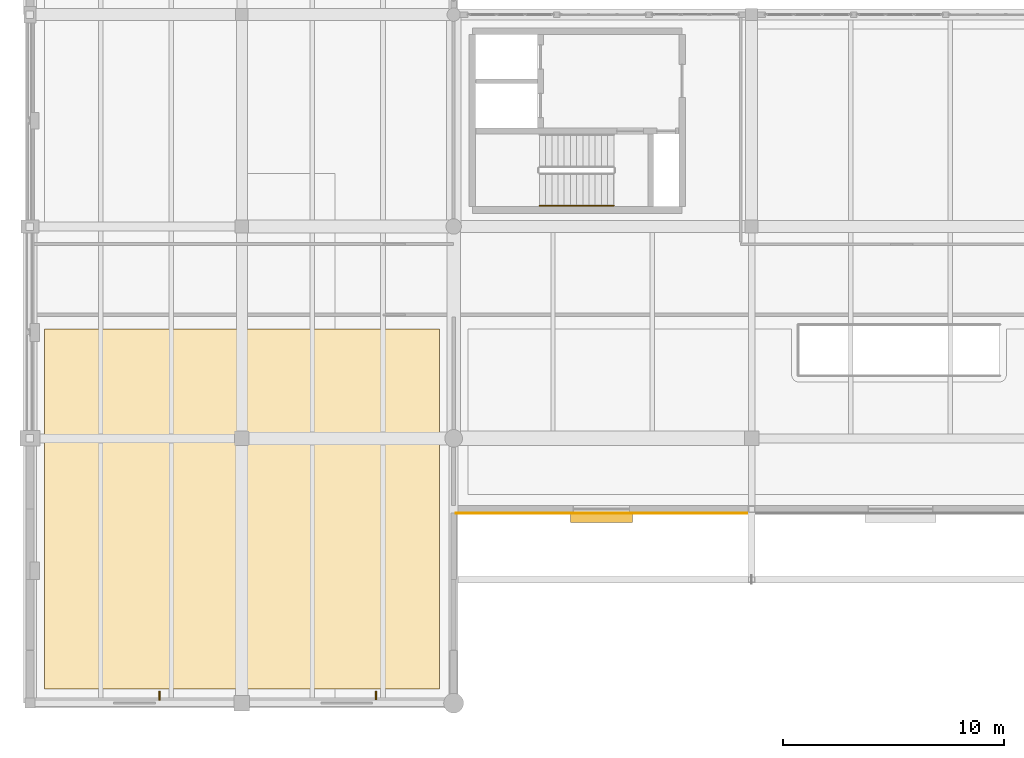
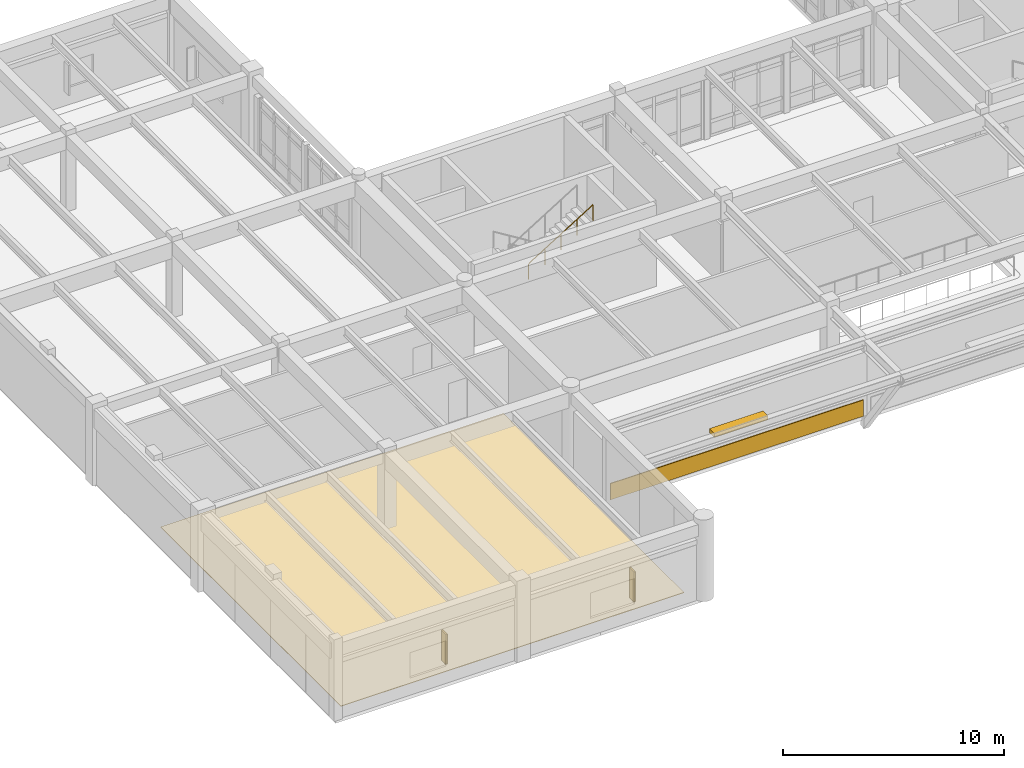
# One storey, part 98 of 109: 3 shading devices, 2 coverings, 1 railing.
"""IFC4 building model written with IfcOpenShell, lengths in metres."""

from ifc_helpers import new_model, si_unit, direction, frame, origin, origin_2d, place, context, subcontext, project, spatial, polyline, rectangle, circle, outline, extrude, material, layer, layer_set, type_object, element, save


model = new_model("IFC4")

# Units and contexts
model_context = context("Model", 3, precision=1e-05, world=origin(), true_north=direction((0.0, 1.0)))
body_context = subcontext(model_context, "Body", "Model", "MODEL_VIEW")
ifc_project = project(units=[si_unit("LENGTHUNIT", "METRE"), si_unit("AREAUNIT", "SQUARE_METRE"), si_unit("VOLUMEUNIT", "CUBIC_METRE"), si_unit("PLANEANGLEUNIT", "RADIAN"), si_unit("MASSUNIT", "GRAM", prefix="KILO")], contexts=[model_context])

# Site, building, storey
site_placement = place(None, origin())
site = spatial("IfcSite", under=ifc_project, at=site_placement, CompositionType="ELEMENT")
building_placement = place(site_placement, origin())
building = spatial("IfcBuilding", under=site, at=building_placement, Name="Fikremerkos Civic Library", CompositionType="ELEMENT")
storey_placement = place(building_placement, frame((0.0, 0.0, 5.39990234375)))
storey = spatial("IfcBuildingStorey", under=building, at=storey_placement, Name="L01", CompositionType="ELEMENT", Elevation=5.39990234375)

# Shading devices
ifc_material_1 = material(Name="Bronze anodized aluminium", Category="aluminium")
shading_device_type_1 = type_object("IfcShadingDeviceType", Name="Horizontal sun-control louvre bank SHD-01", PredefinedType="JALOUSIE", material=ifc_material_1)
shading_device_placement = place(storey_placement, frame((25.89404296875, 8.419921875, 1.919921875), z_axis=(0.0, 0.0, 1.0), x_axis=(1.0, 0.0, 0.0)))
element("IfcShadingDevice", 1, at=shading_device_placement, inside=storey, type_object=shading_device_type_1, Name="Sun-control louvre hood SHD-01 L01 #29", PredefinedType="JALOUSIE", context=body_context, shape_type="SweptSolid", body=[
    extrude(rectangle(XDim=2.800048828125, YDim=0.449951171875, at=origin_2d()), origin(), (0.0, 0.0, 1.0), 0.219970703125),
])
shading_device_type_2 = type_object("IfcShadingDeviceType", Name="Perforated bronze vertical solar fin SHD-02", PredefinedType="USERDEFINED", material=ifc_material_1)
for number, where, z_axis, x_axis, name in (
    (2, (15.679931640625, 0.35009765625, 0.8251953125), (0.0, 0.0, 1.0), (1.0, 0.0, 0.0), "Vertical bronze solar fin SHD-02 L01 #13"),
    (3, (5.867431640625, 0.340087890625, 0.8251953125), (0.0, 0.0, 1.0), (1.0, 0.0, 0.0), "Vertical bronze solar fin SHD-02 L01 #14"),
):
    element("IfcShadingDevice", number, at=place(storey_placement, frame(where, z_axis=z_axis, x_axis=x_axis)), inside=storey, type_object=shading_device_type_2, Name=name, ObjectType="SOLAR FIN", PredefinedType="USERDEFINED", context=body_context, shape_type="SweptSolid", body=[
        extrude(rectangle(XDim=0.080078125, YDim=0.39990234375, at=origin_2d()), origin(), (0.0, 0.0, 1.0), 1.64990234375),
    ])

# Coverings
ifc_material_2 = material(Name="Polished basalt terrazzo", Category="masonry")
ifc_layer_1 = layer(ifc_material_2, 0.030029296875, Name="Polished basalt terrazzo")
ifc_layer_set_1 = layer_set([ifc_layer_1], Name="Polished basalt terrazzo")
covering_type_1 = type_object("IfcCoveringType", Name="Polished basalt terrazzo flooring FLR-01", PredefinedType="FLOORING", material=ifc_layer_set_1)
covering_1_placement = place(storey_placement, origin())
element("IfcCovering", 4, at=covering_1_placement, inside=storey, type_object=covering_type_1, Name="Terrazzo floor finish Cataloguing and Acquisitions Office", PredefinedType="FLOORING", context=body_context, shape_type="SweptSolid", body=[
    extrude(outline(polyline([(18.550048828125, 16.949951171875), (18.550048828125, 0.64990234375), (0.64990234375, 0.64990234375), (0.64990234375, 16.949951171875), (18.550048828125, 16.949951171875)])), origin(), (0.0, 0.0, 1.0), 0.030029296875),
])
ifc_material_3 = material(Name="Precast concrete C40/50", Category="concrete")
ifc_layer_2 = layer(ifc_material_3, 0.044921875, Name="Precast concrete C40/50")
ifc_layer_set_2 = layer_set([ifc_layer_2], Name="Precast concrete C40/50")
covering_type_2 = type_object("IfcCoveringType", Name="Precast basalt facade cladding CLD-01", PredefinedType="CLADDING", material=ifc_layer_set_2)
covering_2_placement = place(storey_placement, frame((25.89404296875, 8.617919921875, 0.050048828125), z_axis=(0.0, 0.0, 1.0), x_axis=(1.0, 0.0, 0.0)))
element("IfcCovering", 5, at=covering_2_placement, inside=storey, type_object=covering_type_2, Name="Basalt spandrel cladding CLD-01 L01 #7", PredefinedType="CLADDING", context=body_context, shape_type="SweptSolid", body=[
    extrude(rectangle(XDim=13.2080078125, YDim=0.044921875, at=origin_2d()), origin(), (0.0, 0.0, 1.0), 0.89990234375),
])

# Railing
ifc_material_4 = material(Name="Brushed stainless steel", Category="steel")
railing_type = type_object("IfcRailingType", Name="Wall and flight handrail HRL-01 900", PredefinedType="HANDRAIL", material=ifc_material_4)
railing_placement = place(storey_placement, frame((23.090087890625, 22.550048828125, 2.423095703125)))
element("IfcRailing", 6, at=railing_placement, inside=storey, type_object=railing_type, Name="L01 ST-K1 stair handrail 2", PredefinedType="HANDRAIL", context=body_context, shape_type="SweptSolid", body=[
    extrude(circle(Radius=0.02392578125, at=origin_2d()), frame((0.0, 0.0, 0.8759765625), z_axis=(0.850606129759, 0.0, 0.525803396734), x_axis=(0.0, 1.0, 0.0)), (0.0, 0.0, 1.0), 3.949951171875),
    extrude(circle(Radius=0.02099609375, at=origin_2d()), origin(), (0.0, 0.0, 1.0), 0.851806640625),
    extrude(circle(Radius=0.02099609375, at=origin_2d()), frame((0.83984375, 0.0, 0.519287109375)), (0.0, 0.0, 1.0), 0.851806640625),
    extrude(circle(Radius=0.02099609375, at=origin_2d()), frame((1.679931640625, 0.0, 1.03857421875)), (0.0, 0.0, 1.0), 0.851806640625),
    extrude(circle(Radius=0.02099609375, at=origin_2d()), frame((2.52001953125, 0.0, 1.5576171875)), (0.0, 0.0, 1.0), 0.851806640625),
    extrude(circle(Radius=0.02099609375, at=origin_2d()), frame((3.35986328125, 0.0, 2.076904296875)), (0.0, 0.0, 1.0), 0.851806640625),
])

save(model, "model.ifc")
